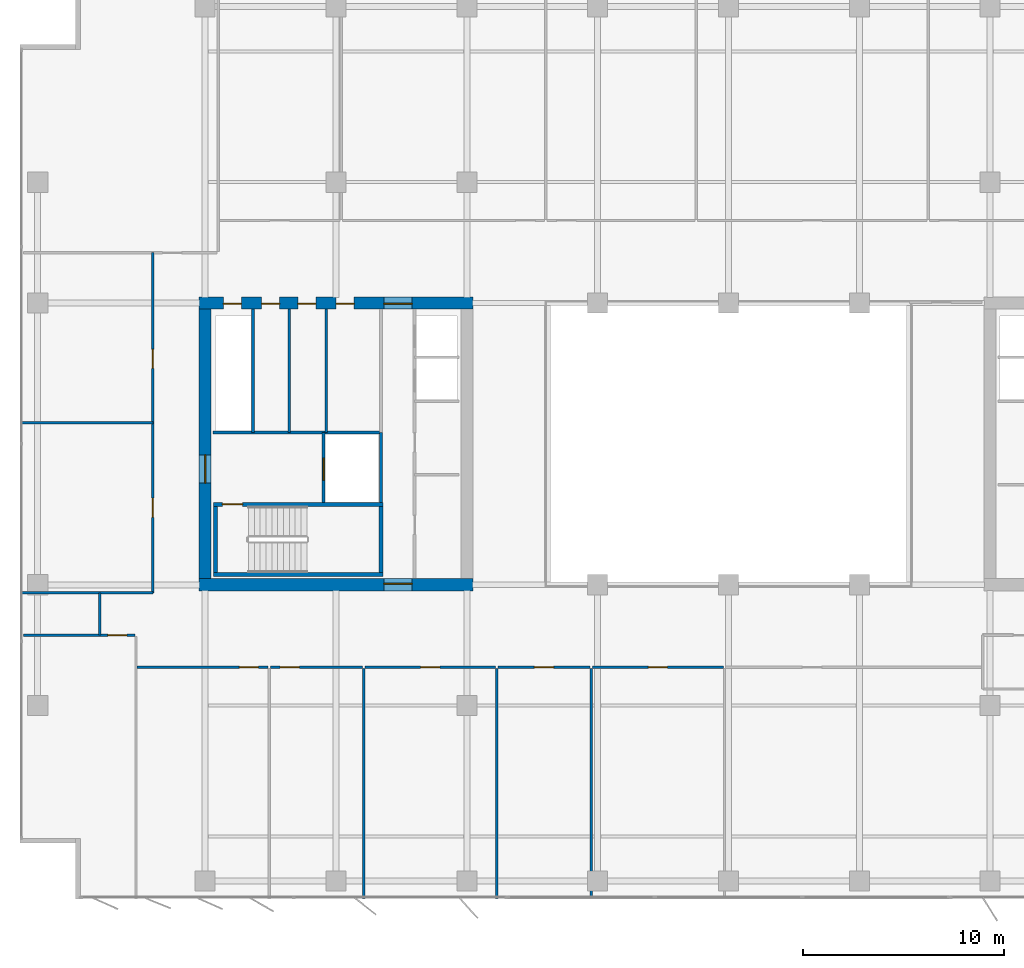
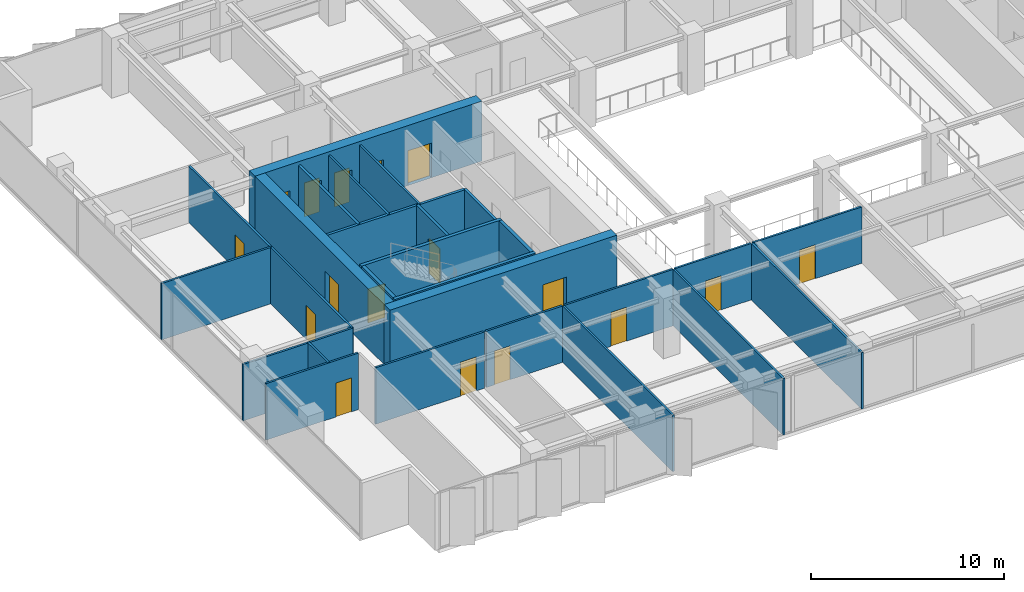
# One storey, part 15 of 22: 27 walls, 17 doors, 17 openings.
"""IFC4 building model written with IfcOpenShell, lengths in metres."""

import ifcopenshell
import ifcopenshell.guid

model = None  # the IFC model being written
_history = None  # IfcOwnerHistory: only IFC2X3 demands one
_inside = {}  # id of a spatial element -> (the spatial element, [elements in it])
_under = {}  # id of a project, library or spatial element -> (it, [spatial elements below it])
_declared = {}  # id of a project -> (the project, [libraries it declares])
_typed = {}  # id of a type object -> (the type object, [elements of that type])
_made_of = {}  # id of a material, layer set ... -> (it, [elements and type objects made of it])


def new_model(schema):
    """Start an empty IFC model of exactly this schema.

    Asked for "IFC4X3", IfcOpenShell would pick the latest addendum, in which some entities
    have other attributes; the version numbers below select the first issue.
    IFC2X3 requires an IfcOwnerHistory on every rooted entity: one is made here for all.
    """
    global model, _history
    if schema == "IFC4X3":
        model = ifcopenshell.file(schema_version=(4, 3, 0, 0))
    else:
        model = ifcopenshell.file(schema=schema)
    _inside.clear()
    _under.clear()
    _declared.clear()
    _typed.clear()
    _made_of.clear()
    _history = None
    if model.schema == "IFC2X3":
        org = make("IfcOrganization", Name="unknown")
        user = make(
            "IfcPersonAndOrganization",
            ThePerson=make("IfcPerson", FamilyName="unknown"),
            TheOrganization=org,
        )
        app = make(
            "IfcApplication",
            ApplicationDeveloper=org,
            Version="unknown",
            ApplicationFullName="unknown",
            ApplicationIdentifier="unknown",
        )
        _history = make(
            "IfcOwnerHistory",
            OwningUser=user,
            OwningApplication=app,
            ChangeAction="ADDED",
            CreationDate=0,
        )
    return model


def make(cls, **values):
    """One entity of the class cls with the attributes given. An attribute that is None is left unset."""
    return model.create_entity(
        cls, **{name: value for name, value in values.items() if value is not None}
    )


def rooted(cls, **values):
    """An entity with a GlobalId (a new one), such as an element, a storey or a relation."""
    return make(cls, GlobalId=ifcopenshell.guid.new(), OwnerHistory=_history, **values)


def si_unit(unit_type, name, prefix=None):
    """IfcSIUnit, for example si_unit("LENGTHUNIT", "METRE", prefix="MILLI")."""
    return make("IfcSIUnit", UnitType=unit_type, Prefix=prefix, Name=name)


def assignment(units):
    """IfcUnitAssignment: the units of a project."""
    return None if units is None else make("IfcUnitAssignment", Units=units)


def point(xyz):
    """IfcCartesianPoint."""
    return None if xyz is None else make("IfcCartesianPoint", Coordinates=xyz)


def direction(xyz):
    """IfcDirection."""
    return None if xyz is None else make("IfcDirection", DirectionRatios=xyz)


def frame(location, z_axis=None, x_axis=None):
    """IfcAxis2Placement3D, a coordinate frame: its origin and axes. An axis left out is left unset."""
    return make(
        "IfcAxis2Placement3D",
        Location=point(location),
        Axis=direction(z_axis),
        RefDirection=direction(x_axis),
    )


def frame_2d(location, x_axis=None):
    """IfcAxis2Placement2D, a coordinate frame in the plane: its origin and x axis."""
    return make(
        "IfcAxis2Placement2D", Location=point(location), RefDirection=direction(x_axis)
    )


def origin():
    """The frame at (0, 0, 0) with its axes left unset."""
    return frame((0.0, 0.0, 0.0))


def place(relative_to, where):
    """IfcLocalPlacement: puts the frame where relative to a parent placement (None: the world)."""
    return make(
        "IfcLocalPlacement", PlacementRelTo=relative_to, RelativePlacement=where
    )


def context(
    kind, dimensions, precision=None, world=None, true_north=None, identifier=None
):
    """IfcGeometricRepresentationContext, for example the 3D "Model" context."""
    return make(
        "IfcGeometricRepresentationContext",
        ContextIdentifier=identifier,
        ContextType=kind,
        CoordinateSpaceDimension=dimensions,
        Precision=precision,
        WorldCoordinateSystem=world,
        TrueNorth=true_north,
    )


def subcontext(parent, identifier, kind, view, scale=None):
    """IfcGeometricRepresentationSubContext, for example "Body" below "Model"."""
    return make(
        "IfcGeometricRepresentationSubContext",
        ContextIdentifier=identifier,
        ContextType=kind,
        ParentContext=parent,
        TargetScale=scale,
        TargetView=view,
    )


def project(units=None, contexts=None):
    """IfcProject with its units and contexts."""
    return rooted(
        "IfcProject",
        Name="project",
        RepresentationContexts=contexts,
        UnitsInContext=assignment(units),
    )


def spatial(cls, under=None, at=None, **own):
    """A site, building, storey or space (cls), placed at a placement, below another one or the project."""
    s = rooted(cls, ObjectPlacement=at, **own)
    if under is not None:
        _under.setdefault(under.id(), (under, []))[1].append(s)
    return s


def profile(cls, at=None, kind="AREA", **sizes):
    """A parametric profile (cls). Its sizes go by their IFC names, for example OverallWidth=200.0."""
    return make(cls, ProfileType=kind, Position=at, **sizes)


def rectangle(**sizes):
    """IfcRectangleProfileDef."""
    return profile("IfcRectangleProfileDef", **sizes)


def extrude(swept, where, along, depth):
    """IfcExtrudedAreaSolid: the profile swept, set in the frame where, extruded along a direction by depth."""
    return make(
        "IfcExtrudedAreaSolid",
        SweptArea=swept,
        Position=where,
        ExtrudedDirection=direction(along),
        Depth=depth,
    )


def shape(context_of_items, identifier, shape_type, items):
    """IfcShapeRepresentation: the items that make up one representation, for example the "Body"."""
    return make(
        "IfcShapeRepresentation",
        ContextOfItems=context_of_items,
        RepresentationIdentifier=identifier,
        RepresentationType=shape_type,
        Items=items,
    )


def material(Name=None, Category=None):
    """IfcMaterial."""
    return make("IfcMaterial", Name=Name, Category=Category)


def layer(
    of_material, thickness, ventilated=None, Name=None, Category=None, Priority=None
):
    """IfcMaterialLayer: one layer of a wall or slab, of a material (None: an air gap)."""
    return make(
        "IfcMaterialLayer",
        Material=of_material,
        LayerThickness=thickness,
        IsVentilated=ventilated,
        Name=Name,
        Category=Category,
        Priority=Priority,
    )


def layer_set(layers, Name=None):
    """IfcMaterialLayerSet."""
    return make("IfcMaterialLayerSet", MaterialLayers=layers, LayerSetName=Name)


def made_of(thing, what):
    """Note that an element or type object is made of a material, layer set ...; save() writes the relation."""
    if what is not None:
        _made_of.setdefault(what.id(), (what, []))[1].append(thing)
    return thing


def type_object(cls, material=None, **own):
    """A type object (cls), such as IfcWallType, which elements share."""
    return made_of(rooted(cls, **own), material)


def element(
    cls,
    number,
    at=None,
    inside=None,
    cuts=None,
    type_object=None,
    material=None,
    context=None,
    identifier="Body",
    shape_type=None,
    held_by="IfcProductDefinitionShape",
    body=None,
    shapes=None,
    **own,
):
    """One element of the class cls, such as IfcWall. Its Tag is "e" and its number.

    at: its placement. inside: the storey or other place that contains it. cuts: it is an
    opening in that element (IfcRelVoidsElement). A single representation is given by context,
    identifier, shape_type and body (its items); several are given by shapes. held_by: the class
    of the entity that holds the representations. save() writes the other relations.
    """
    e = rooted(cls, Tag="e%d" % number, ObjectPlacement=at, **own)
    if body is not None:
        shapes = [shape(context, identifier, shape_type, body)]
    if shapes is not None:
        e.Representation = make(held_by, Representations=shapes)
    if inside is not None:
        _inside.setdefault(inside.id(), (inside, []))[1].append(e)
    if cuts is not None:
        rooted(
            "IfcRelVoidsElement", RelatingBuildingElement=cuts, RelatedOpeningElement=e
        )
    if type_object is not None:
        _typed.setdefault(type_object.id(), (type_object, []))[1].append(e)
    return made_of(e, material)


def fill(opening, filler):
    """IfcRelFillsElement: the door or window that sits in an opening."""
    return rooted(
        "IfcRelFillsElement",
        RelatingOpeningElement=opening,
        RelatedBuildingElement=filler,
    )


def aggregate(whole, parts):
    """IfcRelAggregates: a whole, such as a stair, and the parts it consists of."""
    return rooted("IfcRelAggregates", RelatingObject=whole, RelatedObjects=parts)


def save(model, path):
    """Write the relations noted so far, then the file.

    IfcRelAggregates (storeys below a building ...), IfcRelContainedInSpatialStructure (elements
    in a storey), IfcRelDefinesByType, IfcRelAssociatesMaterial and IfcRelDeclares: one each for
    every whole, place, type object, material and project.
    """
    for whole, parts in _under.values():
        aggregate(whole, parts)
    for where, things in _inside.values():
        rooted(
            "IfcRelContainedInSpatialStructure",
            RelatedElements=things,
            RelatingStructure=where,
        )
    for kind, things in _typed.values():
        rooted("IfcRelDefinesByType", RelatedObjects=things, RelatingType=kind)
    for what, things in _made_of.values():
        rooted("IfcRelAssociatesMaterial", RelatedObjects=things, RelatingMaterial=what)
    for by, libraries in _declared.values():
        rooted("IfcRelDeclares", RelatingContext=by, RelatedDefinitions=libraries)
    model.write(path)


model = new_model("IFC4")

# Units and contexts
model_context = context("Model", 3, precision=1e-05, world=origin(), true_north=direction((0.0, 1.0)))
body_context = subcontext(model_context, "Body", "Model", "MODEL_VIEW")
ifc_project = project(units=[si_unit("LENGTHUNIT", "METRE"), si_unit("AREAUNIT", "SQUARE_METRE"), si_unit("VOLUMEUNIT", "CUBIC_METRE"), si_unit("PLANEANGLEUNIT", "RADIAN"), si_unit("MASSUNIT", "GRAM", prefix="KILO")], contexts=[model_context])

# Site, building, storey
site_placement = place(None, origin())
site = spatial("IfcSite", under=ifc_project, at=site_placement, CompositionType="ELEMENT")
building_placement = place(site_placement, origin())
building = spatial("IfcBuilding", under=site, at=building_placement, Name="Putna Gate Headquarters", CompositionType="ELEMENT")
storey_placement = place(building_placement, frame((0.0, 0.0, 182.199951171875)))
storey = spatial("IfcBuildingStorey", under=building, at=storey_placement, Name="L45", CompositionType="ELEMENT", Elevation=182.199951171875)

# Wall, opening, door
ifc_material_1 = material(Name="Concrete C50/60", Category="concrete")
ifc_layer_1 = layer(ifc_material_1, 0.60009765625)
ifc_layer_set_1 = layer_set([ifc_layer_1], Name="Concrete C50/60")
wall_type_1 = type_object("IfcWallType", Name="WALL-CORE-600", PredefinedType="SHEAR", material=ifc_layer_set_1)
wall_1_placement = place(storey_placement, frame((12.699951171875, 19.0, 0.0), z_axis=(0.0, 0.0, 1.0), x_axis=(1.0, 0.0, 0.0)))
wall_1 = element("IfcWall", 1, at=wall_1_placement, inside=storey, type_object=wall_type_1, Name="L45 WC Split Core Shear Wall S", PredefinedType="SHEAR", context=body_context, shape_type="SweptSolid", body=[
    extrude(rectangle(XDim=13.60009765625, YDim=0.60009765625, at=frame_2d((6.800048828125, 0.0))), origin(), (0.0, 0.0, 1.0), 3.800048828125),
])
opening_1_placement = place(wall_1_placement, frame((9.179931640625, 0.0, 0.0)))
opening_1 = element("IfcOpeningElement", 2, at=opening_1_placement, cuts=wall_1, Name="Opening FDD-140", PredefinedType="OPENING", context=body_context, shape_type="SweptSolid", body=[
    extrude(rectangle(XDim=1.39990234375, YDim=2.199951171875, at=frame_2d((0.699951171875, 1.10009765625))), frame((0.0, 0.31005859375, 0.0), z_axis=(0.0, -1.0, 0.0), x_axis=(1.0, 0.0, 0.0)), (0.0, 0.0, 1.0), 0.6201171875),
])
ifc_material_2 = material(Name="Double steel fire door", Category="steel")
door_type_1 = type_object("IfcDoorType", Name="DOOR-FIRE-DBL-1400", OperationType="DOUBLE_DOOR_SINGLE_SWING", PredefinedType="DOOR", material=ifc_material_2)
door_1_placement = place(opening_1_placement, origin())
door_1 = element("IfcDoor", 3, at=door_1_placement, inside=storey, type_object=door_type_1, Name="L45 West Lift Lobby South Door", OperationType="DOUBLE_DOOR_SINGLE_SWING", OverallHeight=2.199951171875, OverallWidth=1.39990234375, PredefinedType="DOOR", context=body_context, shape_type="SweptSolid", body=[
    extrude(rectangle(XDim=1.39990234375, YDim=2.199951171875, at=frame_2d((0.699951171875, 1.10009765625))), frame((0.0, 0.0751953125, 0.0), z_axis=(0.0, -1.0, 0.0), x_axis=(1.0, 0.0, 0.0)), (0.0, 0.0, 1.0), 0.050048828125),
])
fill(opening_1, door_1)

# Wall, openings, doors
wall_2_placement = place(storey_placement, frame((12.699951171875, 33.0, 0.0), z_axis=(0.0, 0.0, 1.0), x_axis=(1.0, 0.0, 0.0)))
wall_2 = element("IfcWall", 4, at=wall_2_placement, inside=storey, type_object=wall_type_1, Name="L45 WC Split Core Shear Wall N", PredefinedType="SHEAR", context=body_context, shape_type="SweptSolid", body=[
    extrude(rectangle(XDim=13.60009765625, YDim=0.60009765625, at=frame_2d((6.800048828125, 0.0))), origin(), (0.0, 0.0, 1.0), 3.800048828125),
])
opening_2_placement = place(wall_2_placement, frame((1.199951171875, 0.0, 0.0)))
opening_2 = element("IfcOpeningElement", 5, at=opening_2_placement, cuts=wall_2, Name="Opening RD-90", PredefinedType="OPENING", context=body_context, shape_type="SweptSolid", body=[
    extrude(rectangle(XDim=0.89990234375, YDim=2.14990234375, at=frame_2d((0.449951171875, 1.074951171875))), frame((0.0, 0.31005859375, 0.0), z_axis=(0.0, -1.0, 0.0), x_axis=(1.0, 0.0, 0.0)), (0.0, 0.0, 1.0), 0.6201171875),
])
opening_3_placement = place(wall_2_placement, frame((3.10009765625, 0.0, 0.0)))
opening_3 = element("IfcOpeningElement", 6, at=opening_3_placement, cuts=wall_2, Name="Opening IDS-90", PredefinedType="OPENING", context=body_context, shape_type="SweptSolid", body=[
    extrude(rectangle(XDim=0.89990234375, YDim=2.14990234375, at=frame_2d((0.449951171875, 1.074951171875))), frame((0.0, 0.31005859375, 0.0), z_axis=(0.0, -1.0, 0.0), x_axis=(1.0, 0.0, 0.0)), (0.0, 0.0, 1.0), 0.6201171875),
])
opening_4_placement = place(wall_2_placement, frame((4.89990234375, 0.0, 0.0)))
opening_4 = element("IfcOpeningElement", 7, at=opening_4_placement, cuts=wall_2, Name="Opening IDS-90", PredefinedType="OPENING", context=body_context, shape_type="SweptSolid", body=[
    extrude(rectangle(XDim=0.89990234375, YDim=2.14990234375, at=frame_2d((0.449951171875, 1.074951171875))), frame((0.0, 0.31005859375, 0.0), z_axis=(0.0, -1.0, 0.0), x_axis=(1.0, 0.0, 0.0)), (0.0, 0.0, 1.0), 0.6201171875),
])
opening_5_placement = place(wall_2_placement, frame((6.800048828125, 0.0, 0.0)))
opening_5 = element("IfcOpeningElement", 8, at=opening_5_placement, cuts=wall_2, Name="Opening IDS-90", PredefinedType="OPENING", context=body_context, shape_type="SweptSolid", body=[
    extrude(rectangle(XDim=0.89990234375, YDim=2.14990234375, at=frame_2d((0.449951171875, 1.074951171875))), frame((0.0, 0.31005859375, 0.0), z_axis=(0.0, -1.0, 0.0), x_axis=(1.0, 0.0, 0.0)), (0.0, 0.0, 1.0), 0.6201171875),
])
opening_6_placement = place(wall_2_placement, frame((9.179931640625, 0.0, 0.0)))
opening_6 = element("IfcOpeningElement", 9, at=opening_6_placement, cuts=wall_2, Name="Opening FDD-140", PredefinedType="OPENING", context=body_context, shape_type="SweptSolid", body=[
    extrude(rectangle(XDim=1.39990234375, YDim=2.199951171875, at=frame_2d((0.699951171875, 1.10009765625))), frame((0.0, 0.31005859375, 0.0), z_axis=(0.0, -1.0, 0.0), x_axis=(1.0, 0.0, 0.0)), (0.0, 0.0, 1.0), 0.6201171875),
])
door_2_placement = place(opening_6_placement, origin())
door_2 = element("IfcDoor", 10, at=door_2_placement, inside=storey, type_object=door_type_1, Name="L45 West Lift Lobby North Door", OperationType="DOUBLE_DOOR_SINGLE_SWING", OverallHeight=2.199951171875, OverallWidth=1.39990234375, PredefinedType="DOOR", context=body_context, shape_type="SweptSolid", body=[
    extrude(rectangle(XDim=1.39990234375, YDim=2.199951171875, at=frame_2d((0.699951171875, 1.10009765625))), frame((0.0, -0.02490234375, 0.0), z_axis=(0.0, -1.0, 0.0), x_axis=(1.0, 0.0, 0.0)), (0.0, 0.0, 1.0), 0.050048828125),
])
fill(opening_6, door_2)
ifc_material_3 = material(Name="Fire-rated utility door")
door_type_2 = type_object("IfcDoorType", Name="DOOR-INT-900", OperationType="NOTDEFINED", PredefinedType="DOOR", material=ifc_material_3)
door_3_placement = place(opening_3_placement, origin())
door_3 = element("IfcDoor", 11, at=door_3_placement, inside=storey, type_object=door_type_2, Name="L45 Janitor Cupboard Door", OperationType="SINGLE_SWING_LEFT", OverallHeight=2.14990234375, OverallWidth=0.89990234375, PredefinedType="DOOR", context=body_context, shape_type="SweptSolid", body=[
    extrude(rectangle(XDim=0.89990234375, YDim=2.14990234375, at=frame_2d((0.449951171875, 1.074951171875))), frame((0.0, -0.02490234375, 0.0), z_axis=(0.0, -1.0, 0.0), x_axis=(1.0, 0.0, 0.0)), (0.0, 0.0, 1.0), 0.050048828125),
])
fill(opening_3, door_3)
door_4_placement = place(opening_4_placement, origin())
door_4 = element("IfcDoor", 12, at=door_4_placement, inside=storey, type_object=door_type_2, Name="L45 IT Patch Plant Door", OperationType="SINGLE_SWING_RIGHT", OverallHeight=2.14990234375, OverallWidth=0.89990234375, PredefinedType="DOOR", context=body_context, shape_type="SweptSolid", body=[
    extrude(rectangle(XDim=0.89990234375, YDim=2.14990234375, at=frame_2d((0.449951171875, 1.074951171875))), frame((0.0, -0.02490234375, 0.0), z_axis=(0.0, -1.0, 0.0), x_axis=(1.0, 0.0, 0.0)), (0.0, 0.0, 1.0), 0.050048828125),
])
fill(opening_4, door_4)
door_5_placement = place(opening_5_placement, origin())
door_5 = element("IfcDoor", 13, at=door_5_placement, inside=storey, type_object=door_type_2, Name="L45 Building Records Store Door", OperationType="SINGLE_SWING_LEFT", OverallHeight=2.14990234375, OverallWidth=0.89990234375, PredefinedType="DOOR", context=body_context, shape_type="SweptSolid", body=[
    extrude(rectangle(XDim=0.89990234375, YDim=2.14990234375, at=frame_2d((0.449951171875, 1.074951171875))), frame((0.0, -0.02490234375, 0.0), z_axis=(0.0, -1.0, 0.0), x_axis=(1.0, 0.0, 0.0)), (0.0, 0.0, 1.0), 0.050048828125),
])
fill(opening_5, door_5)
ifc_material_4 = material(Name="Steel riser access fire door", Category="steel")
door_type_3 = type_object("IfcDoorType", Name="DOOR-RISER-900", OperationType="NOTDEFINED", PredefinedType="DOOR", material=ifc_material_4)
door_6_placement = place(opening_2_placement, origin())
door_6 = element("IfcDoor", 14, at=door_6_placement, inside=storey, type_object=door_type_3, Name="L45 West Riser Access Door", OperationType="SINGLE_SWING_RIGHT", OverallHeight=2.14990234375, OverallWidth=0.89990234375, PredefinedType="DOOR", context=body_context, shape_type="SweptSolid", body=[
    extrude(rectangle(XDim=0.89990234375, YDim=2.14990234375, at=frame_2d((0.449951171875, 1.074951171875))), frame((0.0, -0.02490234375, 0.0), z_axis=(0.0, -1.0, 0.0), x_axis=(1.0, 0.0, 0.0)), (0.0, 0.0, 1.0), 0.050048828125),
])
fill(opening_2, door_6)

# Wall, opening, door
wall_3_placement = place(storey_placement, frame((13.0, 19.300048828125, 0.0), z_axis=(0.0, 0.0, 1.0), x_axis=(0.0, 1.0, 0.0)))
wall_3 = element("IfcWall", 15, at=wall_3_placement, inside=storey, type_object=wall_type_1, Name="L45 WC Split Core Shear Wall W", PredefinedType="SHEAR", context=body_context, shape_type="SweptSolid", body=[
    extrude(rectangle(XDim=13.39990234375, YDim=0.60009765625, at=frame_2d((6.699951171875, 0.0))), origin(), (0.0, 0.0, 1.0), 3.800048828125),
])
opening_7_placement = place(wall_3_placement, frame((4.75, 0.0, 0.0)))
opening_7 = element("IfcOpeningElement", 16, at=opening_7_placement, cuts=wall_3, Name="Opening FDD-140", PredefinedType="OPENING", context=body_context, shape_type="SweptSolid", body=[
    extrude(rectangle(XDim=1.39990234375, YDim=2.199951171875, at=frame_2d((0.699951171875, 1.10009765625))), frame((0.0, 0.31005859375, 0.0), z_axis=(0.0, -1.0, 0.0), x_axis=(1.0, 0.0, 0.0)), (0.0, 0.0, 1.0), 0.6201171875),
])
door_7_placement = place(opening_7_placement, origin())
door_7 = element("IfcDoor", 17, at=door_7_placement, inside=storey, type_object=door_type_1, Name="L45 West Firefighting Lobby Door", OperationType="DOUBLE_DOOR_SINGLE_SWING", OverallHeight=2.199951171875, OverallWidth=1.39990234375, PredefinedType="DOOR", context=body_context, shape_type="SweptSolid", body=[
    extrude(rectangle(XDim=1.39990234375, YDim=2.199951171875, at=frame_2d((0.699951171875, 1.10009765625))), frame((0.0, 0.02490234375, 0.0), z_axis=(0.0, -1.0, 0.0), x_axis=(1.0, 0.0, 0.0)), (0.0, 0.0, 1.0), 0.050048828125),
])
fill(opening_7, door_7)

# Walls
ifc_material_5 = material(Name="Acoustic gypsum board on metal stud")
ifc_layer_2 = layer(ifc_material_5, 0.1201171875)
ifc_layer_set_2 = layer_set([ifc_layer_2], Name="Acoustic gypsum board on metal stud")
wall_type_2 = type_object("IfcWallType", Name="WALL-PART-120", PredefinedType="PARTITIONING", material=ifc_layer_set_2)
for number, where, z_axis, x_axis, name in (
    (18, (20.872802734375, 3.419921875, 0.0), (0.0, 0.0, 1.0), (0.0, 1.0, 0.0), "L45 Interior Wall PART-L45-SB-DIV-03"),
    (19, (27.4921875, 3.419921875, 0.0), (0.0, 0.0, 1.0), (0.0, 1.0, 0.0), "L45 Interior Wall PART-L45-SB-DIV-04"),
    (20, (32.180908203125, 3.419921875, 0.0), (0.0, 0.0, 1.0), (0.0, 1.0, 0.0), "L45 Interior Wall PART-L45-SB-DIV-05"),
):
    element("IfcWall", number, at=place(storey_placement, frame(where, z_axis=z_axis, x_axis=x_axis)), inside=storey, type_object=wall_type_2, Name=name, PredefinedType="PARTITIONING", context=body_context, shape_type="SweptSolid", body=[
        extrude(rectangle(XDim=11.420166015625, YDim=0.1201171875, at=frame_2d((5.7099609375, 0.0))), origin(), (0.0, 0.0, 1.0), 3.572021484375),
    ])
wall_4_placement = place(storey_placement, frame((3.820068359375, 27.050048828125, 0.0), z_axis=(0.0, 0.0, 1.0), x_axis=(1.0, 0.0, 0.0)))
element("IfcWall", 21, at=wall_4_placement, inside=storey, type_object=wall_type_2, Name="L45 Interior Wall PART-L45-WW-DIV-1", PredefinedType="PARTITIONING", context=body_context, shape_type="SweptSolid", body=[
    extrude(rectangle(XDim=6.579833984375, YDim=0.1201171875, at=frame_2d((3.2900390625, 0.0))), origin(), (0.0, 0.0, 1.0), 3.572021484375),
])
ifc_material_6 = material(Name="Fire-rated gypsum board on metal stud")
ifc_layer_3 = layer(ifc_material_6, 0.1201171875)
ifc_layer_set_3 = layer_set([ifc_layer_3], Name="Fire-rated gypsum board on metal stud")
wall_type_3 = type_object("IfcWallType", Name="WALL-PART-120-RATED", PredefinedType="PARTITIONING", material=ifc_layer_set_3)
for number, where, z_axis, x_axis, name in (
    (22, (17.169921875, 26.56005859375, 0.0), (0.0, 0.0, 1.0), (0.0, 1.0, 0.0), "L45 Interior Wall CWINT-L45-WC-K2-D1"),
    (23, (19.02001953125, 26.56005859375, 0.0), (0.0, 0.0, 1.0), (0.0, 1.0, 0.0), "L45 Interior Wall CWINT-L45-WC-K2-D2"),
):
    element("IfcWall", number, at=place(storey_placement, frame(where, z_axis=z_axis, x_axis=x_axis)), inside=storey, type_object=wall_type_3, Name=name, PredefinedType="PARTITIONING", context=body_context, shape_type="SweptSolid", body=[
        extrude(rectangle(XDim=6.139892578125, YDim=0.1201171875, at=frame_2d((3.06982421875, 0.0))), origin(), (0.0, 0.0, 1.0), 3.572021484375),
    ])
wall_5_placement = place(storey_placement, frame((7.764892578125, 16.5, 0.0), z_axis=(0.0, 0.0, 1.0), x_axis=(0.0, 1.0, 0.0)))
element("IfcWall", 24, at=wall_5_placement, inside=storey, type_object=wall_type_3, Name="L45 Interior Wall PART-L45-CORRS-CAPW", PredefinedType="PARTITIONING", context=body_context, shape_type="SweptSolid", body=[
    extrude(rectangle(XDim=2.10009765625, YDim=0.1201171875, at=frame_2d((1.050048828125, 0.0))), origin(), (0.0, 0.0, 1.0), 3.572021484375),
])

# Wall, opening, door
wall_6_placement = place(storey_placement, frame((3.97998046875, 16.5, 0.0), z_axis=(0.0, 0.0, 1.0), x_axis=(1.0, 0.0, 0.0)))
wall_6 = element("IfcWall", 25, at=wall_6_placement, inside=storey, type_object=wall_type_3, Name="L45 Interior Wall PART-L45-SB-CW-01", PredefinedType="PARTITIONING", context=body_context, shape_type="SweptSolid", body=[
    extrude(rectangle(XDim=5.52490234375, YDim=0.1201171875, at=frame_2d((2.762451171875, 0.0))), origin(), (0.0, 0.0, 1.0), 3.572021484375),
])
opening_8_placement = place(wall_6_placement, frame((4.179931640625, 0.0, 0.0)))
opening_8 = element("IfcOpeningElement", 26, at=opening_8_placement, cuts=wall_6, Name="Opening FD-95", PredefinedType="OPENING", context=body_context, shape_type="SweptSolid", body=[
    extrude(rectangle(XDim=0.949951171875, YDim=2.14990234375, at=frame_2d((0.47509765625, 1.074951171875))), frame((0.0, 0.070068359375, 0.0), z_axis=(0.0, -1.0, 0.0), x_axis=(1.0, 0.0, 0.0)), (0.0, 0.0, 1.0), 0.14013671875),
])
ifc_material_7 = material(Name="Acoustic timber fire door", Category="wood")
door_type_4 = type_object("IfcDoorType", Name="DOOR-FIRE-950", OperationType="NOTDEFINED", PredefinedType="DOOR", material=ifc_material_7)
door_8_placement = place(opening_8_placement, origin())
door_8 = element("IfcDoor", 27, at=door_8_placement, inside=storey, type_object=door_type_4, Name="L45 Collaborative Breakout Lounge 1 Door", OperationType="SINGLE_SWING_RIGHT", OverallHeight=2.14990234375, OverallWidth=0.949951171875, PredefinedType="DOOR", context=body_context, shape_type="SweptSolid", body=[
    extrude(rectangle(XDim=0.949951171875, YDim=2.14990234375, at=frame_2d((0.47509765625, 1.074951171875))), frame((0.0, 0.02490234375, 0.0), z_axis=(0.0, -1.0, 0.0), x_axis=(1.0, 0.0, 0.0)), (0.0, 0.0, 1.0), 0.050048828125),
])
fill(opening_8, door_8)

wall_7_placement = place(storey_placement, frame((9.625, 14.89990234375, 0.0), z_axis=(0.0, 0.0, 1.0), x_axis=(1.0, 0.0, 0.0)))
wall_7 = element("IfcWall", 28, at=wall_7_placement, inside=storey, type_object=wall_type_3, Name="L45 Interior Wall PART-L45-SB-CW-02", PredefinedType="PARTITIONING", context=body_context, shape_type="SweptSolid", body=[
    extrude(rectangle(XDim=6.499267578125, YDim=0.1201171875, at=frame_2d((3.24951171875, 0.0))), origin(), (0.0, 0.0, 1.0), 3.572021484375),
])
opening_9_placement = place(wall_7_placement, frame((5.069091796875, 0.0, 0.0)))
opening_9 = element("IfcOpeningElement", 29, at=opening_9_placement, cuts=wall_7, Name="Opening FD-95", PredefinedType="OPENING", context=body_context, shape_type="SweptSolid", body=[
    extrude(rectangle(XDim=0.949951171875, YDim=2.14990234375, at=frame_2d((0.47509765625, 1.074951171875))), frame((0.0, 0.070068359375, 0.0), z_axis=(0.0, -1.0, 0.0), x_axis=(1.0, 0.0, 0.0)), (0.0, 0.0, 1.0), 0.14013671875),
])
door_9_placement = place(opening_9_placement, origin())
door_9 = element("IfcDoor", 30, at=door_9_placement, inside=storey, type_object=door_type_4, Name="L45 Cellular Office 5 Door", OperationType="SINGLE_SWING_LEFT", OverallHeight=2.14990234375, OverallWidth=0.949951171875, PredefinedType="DOOR", context=body_context, shape_type="SweptSolid", body=[
    extrude(rectangle(XDim=0.949951171875, YDim=2.14990234375, at=frame_2d((0.47509765625, 1.074951171875))), frame((0.0, 0.02490234375, 0.0), z_axis=(0.0, -1.0, 0.0), x_axis=(1.0, 0.0, 0.0)), (0.0, 0.0, 1.0), 0.050048828125),
])
fill(opening_9, door_9)

wall_8_placement = place(storey_placement, frame((16.244140625, 14.89990234375, 0.0), z_axis=(0.0, 0.0, 1.0), x_axis=(1.0, 0.0, 0.0)))
wall_8 = element("IfcWall", 31, at=wall_8_placement, inside=storey, type_object=wall_type_3, Name="L45 Interior Wall PART-L45-SB-CW-03", PredefinedType="PARTITIONING", context=body_context, shape_type="SweptSolid", body=[
    extrude(rectangle(XDim=4.56884765625, YDim=0.1201171875, at=frame_2d((2.284423828125, 0.0))), origin(), (0.0, 0.0, 1.0), 3.572021484375),
])
opening_10_placement = place(wall_8_placement, frame((0.47998046875, 0.0, 0.0)))
opening_10 = element("IfcOpeningElement", 32, at=opening_10_placement, cuts=wall_8, Name="Opening FD-95", PredefinedType="OPENING", context=body_context, shape_type="SweptSolid", body=[
    extrude(rectangle(XDim=0.949951171875, YDim=2.14990234375, at=frame_2d((0.47509765625, 1.074951171875))), frame((0.0, 0.070068359375, 0.0), z_axis=(0.0, -1.0, 0.0), x_axis=(1.0, 0.0, 0.0)), (0.0, 0.0, 1.0), 0.14013671875),
])
door_10_placement = place(opening_10_placement, origin())
door_10 = element("IfcDoor", 33, at=door_10_placement, inside=storey, type_object=door_type_4, Name="L45 Cellular Office 6 Door", OperationType="SINGLE_SWING_RIGHT", OverallHeight=2.14990234375, OverallWidth=0.949951171875, PredefinedType="DOOR", context=body_context, shape_type="SweptSolid", body=[
    extrude(rectangle(XDim=0.949951171875, YDim=2.14990234375, at=frame_2d((0.47509765625, 1.074951171875))), frame((0.0, 0.02490234375, 0.0), z_axis=(0.0, -1.0, 0.0), x_axis=(1.0, 0.0, 0.0)), (0.0, 0.0, 1.0), 0.050048828125),
])
fill(opening_10, door_10)

wall_9_placement = place(storey_placement, frame((20.932861328125, 14.89990234375, 0.0), z_axis=(0.0, 0.0, 1.0), x_axis=(1.0, 0.0, 0.0)))
wall_9 = element("IfcWall", 34, at=wall_9_placement, inside=storey, type_object=wall_type_3, Name="L45 Interior Wall PART-L45-SB-CW-04", PredefinedType="PARTITIONING", context=body_context, shape_type="SweptSolid", body=[
    extrude(rectangle(XDim=6.499267578125, YDim=0.1201171875, at=frame_2d((3.24951171875, 0.0))), origin(), (0.0, 0.0, 1.0), 3.572021484375),
])
opening_11_placement = place(wall_9_placement, frame((2.774658203125, 0.0, 0.0)))
opening_11 = element("IfcOpeningElement", 35, at=opening_11_placement, cuts=wall_9, Name="Opening FD-95", PredefinedType="OPENING", context=body_context, shape_type="SweptSolid", body=[
    extrude(rectangle(XDim=0.949951171875, YDim=2.14990234375, at=frame_2d((0.47509765625, 1.074951171875))), frame((0.0, 0.070068359375, 0.0), z_axis=(0.0, -1.0, 0.0), x_axis=(1.0, 0.0, 0.0)), (0.0, 0.0, 1.0), 0.14013671875),
])
door_11_placement = place(opening_11_placement, origin())
door_11 = element("IfcDoor", 36, at=door_11_placement, inside=storey, type_object=door_type_4, Name="L45 Conference Meeting Room 1 Door", OperationType="SINGLE_SWING_LEFT", OverallHeight=2.14990234375, OverallWidth=0.949951171875, PredefinedType="DOOR", context=body_context, shape_type="SweptSolid", body=[
    extrude(rectangle(XDim=0.949951171875, YDim=2.14990234375, at=frame_2d((0.47509765625, 1.074951171875))), frame((0.0, 0.02490234375, 0.0), z_axis=(0.0, -1.0, 0.0), x_axis=(1.0, 0.0, 0.0)), (0.0, 0.0, 1.0), 0.050048828125),
])
fill(opening_11, door_11)

wall_10_placement = place(storey_placement, frame((27.552001953125, 14.89990234375, 0.0), z_axis=(0.0, 0.0, 1.0), x_axis=(1.0, 0.0, 0.0)))
wall_10 = element("IfcWall", 37, at=wall_10_placement, inside=storey, type_object=wall_type_3, Name="L45 Interior Wall PART-L45-SB-CW-05", PredefinedType="PARTITIONING", context=body_context, shape_type="SweptSolid", body=[
    extrude(rectangle(XDim=4.56884765625, YDim=0.1201171875, at=frame_2d((2.284423828125, 0.0))), origin(), (0.0, 0.0, 1.0), 3.572021484375),
])
opening_12_placement = place(wall_10_placement, frame((1.809326171875, 0.0, 0.0)))
opening_12 = element("IfcOpeningElement", 38, at=opening_12_placement, cuts=wall_10, Name="Opening FD-95", PredefinedType="OPENING", context=body_context, shape_type="SweptSolid", body=[
    extrude(rectangle(XDim=0.949951171875, YDim=2.14990234375, at=frame_2d((0.47509765625, 1.074951171875))), frame((0.0, 0.070068359375, 0.0), z_axis=(0.0, -1.0, 0.0), x_axis=(1.0, 0.0, 0.0)), (0.0, 0.0, 1.0), 0.14013671875),
])
door_12_placement = place(opening_12_placement, origin())
door_12 = element("IfcDoor", 39, at=door_12_placement, inside=storey, type_object=door_type_4, Name="L45 Conference Meeting Room 2 Door", OperationType="SINGLE_SWING_RIGHT", OverallHeight=2.14990234375, OverallWidth=0.949951171875, PredefinedType="DOOR", context=body_context, shape_type="SweptSolid", body=[
    extrude(rectangle(XDim=0.949951171875, YDim=2.14990234375, at=frame_2d((0.47509765625, 1.074951171875))), frame((0.0, 0.02490234375, 0.0), z_axis=(0.0, -1.0, 0.0), x_axis=(1.0, 0.0, 0.0)), (0.0, 0.0, 1.0), 0.050048828125),
])
fill(opening_12, door_12)

wall_11_placement = place(storey_placement, frame((32.24072265625, 14.89990234375, 0.0), z_axis=(0.0, 0.0, 1.0), x_axis=(1.0, 0.0, 0.0)))
wall_11 = element("IfcWall", 40, at=wall_11_placement, inside=storey, type_object=wall_type_3, Name="L45 Interior Wall PART-L45-SB-CW-06", PredefinedType="PARTITIONING", context=body_context, shape_type="SweptSolid", body=[
    extrude(rectangle(XDim=6.499267578125, YDim=0.1201171875, at=frame_2d((3.24951171875, 0.0))), origin(), (0.0, 0.0, 1.0), 3.572021484375),
])
opening_13_placement = place(wall_11_placement, frame((2.774658203125, 0.0, 0.0)))
opening_13 = element("IfcOpeningElement", 41, at=opening_13_placement, cuts=wall_11, Name="Opening FD-95", PredefinedType="OPENING", context=body_context, shape_type="SweptSolid", body=[
    extrude(rectangle(XDim=0.949951171875, YDim=2.14990234375, at=frame_2d((0.47509765625, 1.074951171875))), frame((0.0, 0.070068359375, 0.0), z_axis=(0.0, -1.0, 0.0), x_axis=(1.0, 0.0, 0.0)), (0.0, 0.0, 1.0), 0.14013671875),
])
door_13_placement = place(opening_13_placement, origin())
door_13 = element("IfcDoor", 42, at=door_13_placement, inside=storey, type_object=door_type_4, Name="L45 Conference Meeting Room 3 Door", OperationType="SINGLE_SWING_LEFT", OverallHeight=2.14990234375, OverallWidth=0.949951171875, PredefinedType="DOOR", context=body_context, shape_type="SweptSolid", body=[
    extrude(rectangle(XDim=0.949951171875, YDim=2.14990234375, at=frame_2d((0.47509765625, 1.074951171875))), frame((0.0, 0.02490234375, 0.0), z_axis=(0.0, -1.0, 0.0), x_axis=(1.0, 0.0, 0.0)), (0.0, 0.0, 1.0), 0.050048828125),
])
fill(opening_13, door_13)

# Wall
wall_12_placement = place(storey_placement, frame((3.820068359375, 18.60009765625, 0.0), z_axis=(0.0, 0.0, 1.0), x_axis=(1.0, 0.0, 0.0)))
element("IfcWall", 43, at=wall_12_placement, inside=storey, type_object=wall_type_3, Name="L45 Interior Wall PART-L45-WW-S-BOUND", PredefinedType="PARTITIONING", context=body_context, shape_type="SweptSolid", body=[
    extrude(rectangle(XDim=6.579833984375, YDim=0.1201171875, at=frame_2d((3.2900390625, 0.0))), origin(), (0.0, 0.0, 1.0), 3.572021484375),
])

# Wall, opening, door
wall_13_placement = place(storey_placement, frame((10.39990234375, 18.60009765625, 0.0), z_axis=(0.0, 0.0, 1.0), x_axis=(0.0, 1.0, 0.0)))
wall_13 = element("IfcWall", 44, at=wall_13_placement, inside=storey, type_object=wall_type_3, Name="L45 Interior Wall PART-L45-WW-CW-1", PredefinedType="PARTITIONING", context=body_context, shape_type="SweptSolid", body=[
    extrude(rectangle(XDim=8.449951171875, YDim=0.1201171875, at=frame_2d((4.22509765625, 0.0))), origin(), (0.0, 0.0, 1.0), 3.572021484375),
])
opening_14_placement = place(wall_13_placement, frame((3.75, 0.0, 0.0)))
opening_14 = element("IfcOpeningElement", 45, at=opening_14_placement, cuts=wall_13, Name="Opening FD-95", PredefinedType="OPENING", context=body_context, shape_type="SweptSolid", body=[
    extrude(rectangle(XDim=0.949951171875, YDim=2.14990234375, at=frame_2d((0.47509765625, 1.074951171875))), frame((0.0, 0.070068359375, 0.0), z_axis=(0.0, -1.0, 0.0), x_axis=(1.0, 0.0, 0.0)), (0.0, 0.0, 1.0), 0.14013671875),
])
door_14_placement = place(opening_14_placement, origin())
door_14 = element("IfcDoor", 46, at=door_14_placement, inside=storey, type_object=door_type_4, Name="L45 West Project Meeting Room 1 Door", OperationType="SINGLE_SWING_RIGHT", OverallHeight=2.14990234375, OverallWidth=0.949951171875, PredefinedType="DOOR", context=body_context, shape_type="SweptSolid", body=[
    extrude(rectangle(XDim=0.949951171875, YDim=2.14990234375, at=frame_2d((0.47509765625, 1.074951171875))), frame((0.0, 0.02490234375, 0.0), z_axis=(0.0, -1.0, 0.0), x_axis=(1.0, 0.0, 0.0)), (0.0, 0.0, 1.0), 0.050048828125),
])
fill(opening_14, door_14)

wall_14_placement = place(storey_placement, frame((10.39990234375, 27.050048828125, 0.0), z_axis=(0.0, 0.0, 1.0), x_axis=(0.0, 1.0, 0.0)))
wall_14 = element("IfcWall", 47, at=wall_14_placement, inside=storey, type_object=wall_type_3, Name="L45 Interior Wall PART-L45-WW-CW-2", PredefinedType="PARTITIONING", context=body_context, shape_type="SweptSolid", body=[
    extrude(rectangle(XDim=8.449951171875, YDim=0.1201171875, at=frame_2d((4.22509765625, 0.0))), origin(), (0.0, 0.0, 1.0), 3.572021484375),
])
opening_15_placement = place(wall_14_placement, frame((2.699951171875, 0.0, 0.0)))
opening_15 = element("IfcOpeningElement", 48, at=opening_15_placement, cuts=wall_14, Name="Opening FD-95", PredefinedType="OPENING", context=body_context, shape_type="SweptSolid", body=[
    extrude(rectangle(XDim=0.949951171875, YDim=2.14990234375, at=frame_2d((0.47509765625, 1.074951171875))), frame((0.0, 0.070068359375, 0.0), z_axis=(0.0, -1.0, 0.0), x_axis=(1.0, 0.0, 0.0)), (0.0, 0.0, 1.0), 0.14013671875),
])
door_15_placement = place(opening_15_placement, origin())
door_15 = element("IfcDoor", 49, at=door_15_placement, inside=storey, type_object=door_type_4, Name="L45 West Project Meeting Room 2 Door", OperationType="SINGLE_SWING_LEFT", OverallHeight=2.14990234375, OverallWidth=0.949951171875, PredefinedType="DOOR", context=body_context, shape_type="SweptSolid", body=[
    extrude(rectangle(XDim=0.949951171875, YDim=2.14990234375, at=frame_2d((0.47509765625, 1.074951171875))), frame((0.0, 0.02490234375, 0.0), z_axis=(0.0, -1.0, 0.0), x_axis=(1.0, 0.0, 0.0)), (0.0, 0.0, 1.0), 0.050048828125),
])
fill(opening_15, door_15)

# Wall
ifc_material_8 = material(Name="Concrete C40/50", Category="concrete")
ifc_layer_4 = layer(ifc_material_8, 0.159912109375)
ifc_layer_set_4 = layer_set([ifc_layer_4], Name="Concrete C40/50")
wall_type_4 = type_object("IfcWallType", Name="WALL-SHAFT-160", PredefinedType="STANDARD", material=ifc_layer_set_4)
wall_15_placement = place(storey_placement, frame((21.739990234375, 23.090087890625, 0.0), z_axis=(0.0, 0.0, 1.0), x_axis=(0.0, 1.0, 0.0)))
element("IfcWall", 50, at=wall_15_placement, inside=storey, type_object=wall_type_4, Name="L45 Interior Wall CWINT-L45-WC-FFL-E", PredefinedType="STANDARD", context=body_context, shape_type="SweptSolid", body=[
    extrude(rectangle(XDim=3.469970703125, YDim=0.159912109375, at=frame_2d((1.73486328125, 0.0))), origin(), (0.0, 0.0, 1.0), 3.572021484375),
])

# Wall, opening, door
wall_16_placement = place(storey_placement, frame((18.8798828125, 23.090087890625, 0.0), z_axis=(0.0, 0.0, 1.0), x_axis=(0.0, 1.0, 0.0)))
wall_16 = element("IfcWall", 51, at=wall_16_placement, inside=storey, type_object=wall_type_4, Name="L45 Interior Wall CWINT-L45-WC-LF13-W", PredefinedType="STANDARD", context=body_context, shape_type="SweptSolid", body=[
    extrude(rectangle(XDim=3.469970703125, YDim=0.159912109375, at=frame_2d((1.73486328125, 0.0))), origin(), (0.0, 0.0, 1.0), 3.572021484375),
])
opening_16_placement = place(wall_16_placement, frame((1.10009765625, 0.0, 0.0)))
opening_16 = element("IfcOpeningElement", 52, at=opening_16_placement, cuts=wall_16, Name="Opening LD-1", PredefinedType="OPENING", context=body_context, shape_type="SweptSolid", body=[
    extrude(rectangle(XDim=1.10009765625, YDim=2.199951171875, at=frame_2d((0.550048828125, 1.10009765625))), frame((0.0, 0.08984375, 0.0), z_axis=(0.0, -1.0, 0.0), x_axis=(1.0, 0.0, 0.0)), (0.0, 0.0, 1.0), 0.179931640625),
])
ifc_material_9 = material(Name="Brushed bronze stainless lift landing door")
door_type_5 = type_object("IfcDoorType", Name="DOOR-LIFT-1100", OperationType="DOUBLE_DOOR_SLIDING", PredefinedType="DOOR", material=ifc_material_9)
door_16_placement = place(opening_16_placement, origin())
door_16 = element("IfcDoor", 53, at=door_16_placement, inside=storey, type_object=door_type_5, Name="L45 Lift Landing Door LD-13", OperationType="DOUBLE_DOOR_SLIDING", OverallHeight=2.199951171875, OverallWidth=1.10009765625, PredefinedType="DOOR", context=body_context, shape_type="SweptSolid", body=[
    extrude(rectangle(XDim=1.10009765625, YDim=2.199951171875, at=frame_2d((0.550048828125, 1.10009765625))), frame((0.0, 0.02490234375, 0.0), z_axis=(0.0, -1.0, 0.0), x_axis=(1.0, 0.0, 0.0)), (0.0, 0.0, 1.0), 0.050048828125),
])
fill(opening_16, door_16)

# Walls
wall_17_placement = place(storey_placement, frame((13.39990234375, 26.56005859375, 0.0), z_axis=(0.0, 0.0, 1.0), x_axis=(1.0, 0.0, 0.0)))
element("IfcWall", 54, at=wall_17_placement, inside=storey, type_object=wall_type_4, Name="L45 Interior Wall CWINT-L45-WC-FFL-N", PredefinedType="STANDARD", context=body_context, shape_type="SweptSolid", body=[
    extrude(rectangle(XDim=8.340087890625, YDim=0.159912109375, at=frame_2d((4.169921875, 0.0))), origin(), (0.0, 0.0, 1.0), 3.572021484375),
])
wall_18_placement = place(storey_placement, frame((15.3798828125, 26.56005859375, 0.0), z_axis=(0.0, 0.0, 1.0), x_axis=(0.0, 1.0, 0.0)))
element("IfcWall", 55, at=wall_18_placement, inside=storey, type_object=wall_type_4, Name="L45 Interior Wall CWINT-L45-WC-RISER-E", PredefinedType="STANDARD", context=body_context, shape_type="SweptSolid", body=[
    extrude(rectangle(XDim=6.139892578125, YDim=0.159912109375, at=frame_2d((3.06982421875, 0.0))), origin(), (0.0, 0.0, 1.0), 3.572021484375),
])
ifc_layer_5 = layer(ifc_material_8, 0.199951171875)
ifc_layer_set_5 = layer_set([ifc_layer_5], Name="Concrete C40/50")
wall_type_5 = type_object("IfcWallType", Name="WALL-SHAFT-RC200", PredefinedType="SHEAR", material=ifc_layer_set_5)
wall_19_placement = place(storey_placement, frame((13.409912109375, 19.510009765625, 0.0), z_axis=(0.0, 0.0, 1.0), x_axis=(1.0, 0.0, 0.0)))
element("IfcWall", 56, at=wall_19_placement, inside=storey, type_object=wall_type_5, Name="L45 Stair ST1 Structural Shaft Wall S", PredefinedType="SHEAR", context=body_context, shape_type="SweptSolid", body=[
    extrude(rectangle(XDim=8.43017578125, YDim=0.199951171875, at=frame_2d((4.215087890625, 0.0))), origin(), (0.0, 0.0, 1.0), 3.800048828125),
])

# Wall, opening, door
wall_20_placement = place(storey_placement, frame((13.409912109375, 22.989990234375, 0.0), z_axis=(0.0, 0.0, 1.0), x_axis=(1.0, 0.0, 0.0)))
wall_20 = element("IfcWall", 57, at=wall_20_placement, inside=storey, type_object=wall_type_5, Name="L45 Stair ST1 Structural Shaft Wall N", PredefinedType="SHEAR", context=body_context, shape_type="SweptSolid", body=[
    extrude(rectangle(XDim=8.43017578125, YDim=0.199951171875, at=frame_2d((4.215087890625, 0.0))), origin(), (0.0, 0.0, 1.0), 3.800048828125),
])
opening_17_placement = place(wall_20_placement, frame((0.449951171875, 0.0, 0.0)))
opening_17 = element("IfcOpeningElement", 58, at=opening_17_placement, cuts=wall_20, Name="Opening FD-100", PredefinedType="OPENING", context=body_context, shape_type="SweptSolid", body=[
    extrude(rectangle(XDim=1.0, YDim=2.14990234375, at=frame_2d((0.5, 1.074951171875))), frame((0.0, 0.10986328125, 0.0), z_axis=(0.0, -1.0, 0.0), x_axis=(1.0, 0.0, 0.0)), (0.0, 0.0, 1.0), 0.219970703125),
])
ifc_material_10 = material(Name="Powder-coated steel fire door", Category="steel")
door_type_6 = type_object("IfcDoorType", Name="DOOR-FIRE-1000", OperationType="NOTDEFINED", PredefinedType="DOOR", material=ifc_material_10)
door_17_placement = place(opening_17_placement, origin())
door_17 = element("IfcDoor", 59, at=door_17_placement, inside=storey, type_object=door_type_6, Name="L45 Stair ST1 Fire Door", OperationType="SINGLE_SWING_LEFT", OverallHeight=2.14990234375, OverallWidth=1.0, PredefinedType="DOOR", context=body_context, shape_type="SweptSolid", body=[
    extrude(rectangle(XDim=1.0, YDim=2.14990234375, at=frame_2d((0.5, 1.074951171875))), frame((0.0, 0.02490234375, 0.0), z_axis=(0.0, -1.0, 0.0), x_axis=(1.0, 0.0, 0.0)), (0.0, 0.0, 1.0), 0.050048828125),
])
fill(opening_17, door_17)

# Walls
for number, where, z_axis, x_axis, name in (
    (60, (13.510009765625, 19.610107421875, 0.0), (0.0, 0.0, 1.0), (0.0, 1.0, 0.0), "L45 Stair ST1 Structural Shaft Wall W"),
    (61, (21.739990234375, 19.610107421875, 0.0), (0.0, 0.0, 1.0), (0.0, 1.0, 0.0), "L45 Stair ST1 Structural Shaft Wall E"),
):
    element("IfcWall", number, at=place(storey_placement, frame(where, z_axis=z_axis, x_axis=x_axis)), inside=storey, type_object=wall_type_5, Name=name, PredefinedType="SHEAR", context=body_context, shape_type="SweptSolid", body=[
        extrude(rectangle(XDim=3.27978515625, YDim=0.199951171875, at=frame_2d((1.639892578125, 0.0))), origin(), (0.0, 0.0, 1.0), 3.800048828125),
    ])

save(model, "model.ifc")
